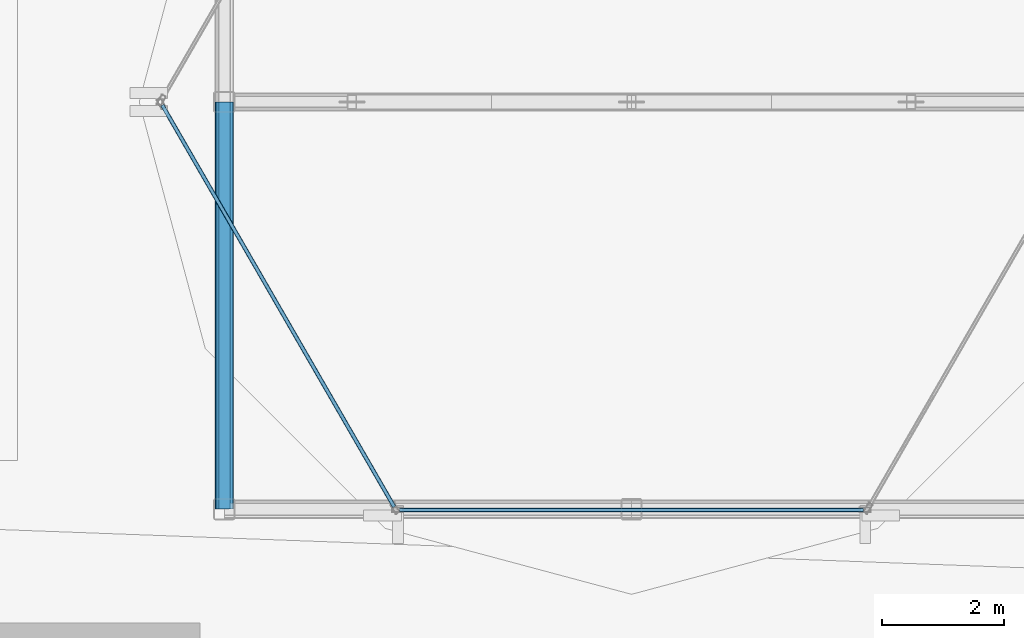
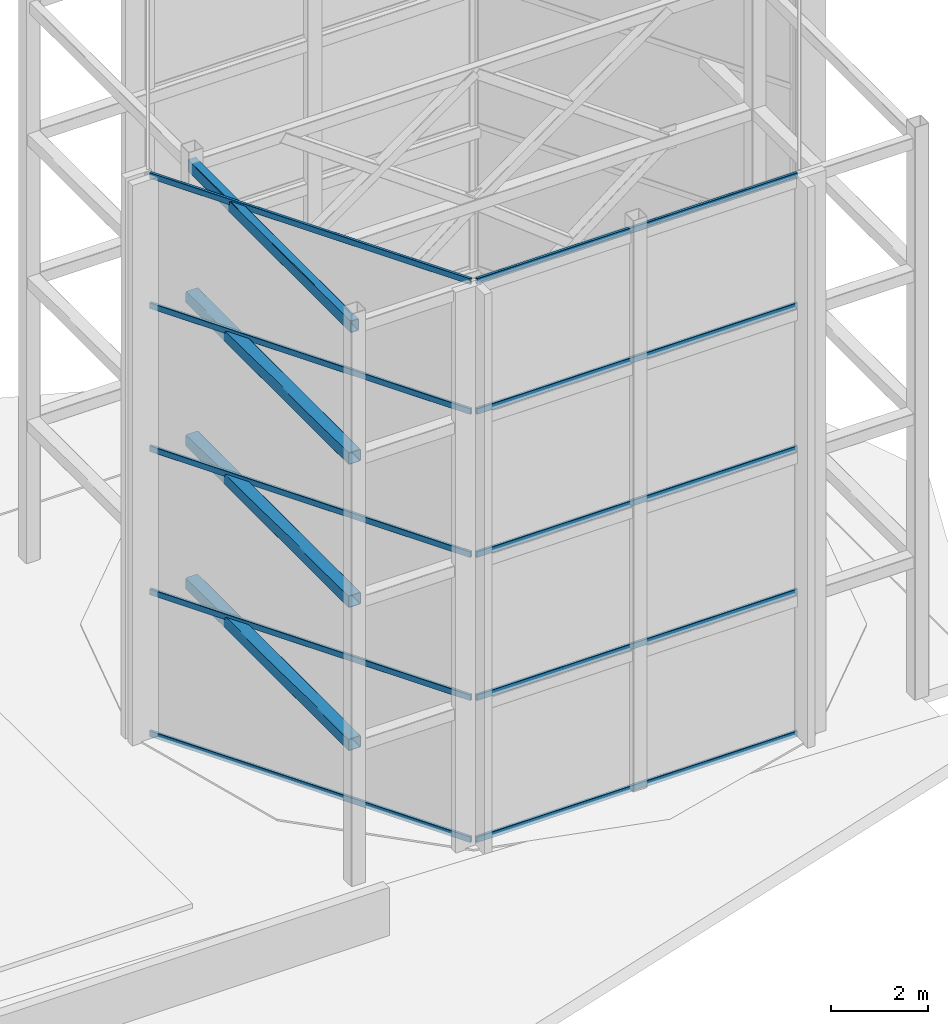
# One storey, part 3 of 24: 10 members, 4 beams, 2 elements without a shape of their own.
"""IFC4 building model written with IfcOpenShell, lengths in metres."""

from ifc_helpers import new_model, si_unit, direction, frame, origin, origin_2d, place, context, subcontext, project, spatial, hollow_rectangle, extrude, material, layer, layer_set, material_profile, profile_set, type_object, element, aggregate, save


model = new_model("IFC4")

# Units and contexts
model_context = context("Model", 3, precision=1e-05, world=origin(), true_north=direction((0.0, 1.0)))
body_context = subcontext(model_context, "Body", "Model", "MODEL_VIEW")
ifc_project = project(units=[si_unit("LENGTHUNIT", "METRE"), si_unit("AREAUNIT", "SQUARE_METRE"), si_unit("VOLUMEUNIT", "CUBIC_METRE"), si_unit("PLANEANGLEUNIT", "RADIAN"), si_unit("MASSUNIT", "GRAM", prefix="KILO")], contexts=[model_context])

# Site, building, storey
site_placement = place(None, origin())
site = spatial("IfcSite", under=ifc_project, at=site_placement, CompositionType="ELEMENT")
building_placement = place(site_placement, origin())
building = spatial("IfcBuilding", under=site, at=building_placement, Name="Solvaryn Broadcast Tower", CompositionType="ELEMENT")
storey_placement = place(building_placement, frame((0.0, 0.0, 307.800048828125)))
storey = spatial("IfcBuildingStorey", under=building, at=storey_placement, Name="Roof Main", CompositionType="ELEMENT", Elevation=307.800048828125)

# Beams
ifc_material_1 = material(Name="Steel ASTM A500 Grade C", Category="steel")
ifc_material_profile_1 = material_profile(ifc_material_1, hollow_rectangle(XDim=0.199951171875, YDim=0.300048828125, WallThickness=0.011962890625, InnerFilletRadius=0.011962890625, OuterFilletRadius=0.02392578125, at=origin_2d()))
ifc_profile_set_1 = profile_set([ifc_material_profile_1], Name="Steel ASTM A500 Grade C")
beam_type_1 = type_object("IfcBeamType", Name="BM-CROWN-CAP", PredefinedType="BEAM", material=ifc_profile_set_1)
beam_placement = place(storey_placement, frame((29.39990234375, 17.89990234375, 13.949951171875), z_axis=(0.0, -1.0, 0.0), x_axis=(1.0, 0.0, 0.0)))
element("IfcBeam", 1, at=beam_placement, inside=storey, type_object=beam_type_1, Name="Roof Main CROWN FRAME Ring Beam ET4-8", PredefinedType="BEAM", context=body_context, shape_type="SweptSolid", body=[
    extrude(hollow_rectangle(XDim=0.199951171875, YDim=0.300048828125, WallThickness=0.011962890625, InnerFilletRadius=0.011962890625, OuterFilletRadius=0.02392578125, at=origin_2d()), origin(), (0.0, 0.0, 1.0), 6.699951171875),
])
ifc_material_2 = material(Name="Steel ASTM A500 Grade C", Category="steel")
ifc_material_profile_2 = material_profile(ifc_material_2, hollow_rectangle(XDim=0.300048828125, YDim=0.300048828125, WallThickness=0.01416015625, InnerFilletRadius=0.01416015625, OuterFilletRadius=0.0283203125, at=origin_2d()))
ifc_profile_set_2 = profile_set([ifc_material_profile_2], Name="Steel ASTM A500 Grade C")
beam_type_2 = type_object("IfcBeamType", Name="BM-CROWN-RING", PredefinedType="BEAM", material=ifc_profile_set_2)
for number, where, z_axis, x_axis, name in (
    (2, (29.39990234375, 17.89990234375, 3.449951171875), (0.0, -1.0, 0.0), (1.0, 0.0, 0.0), "Roof Main CROWN FRAME Ring Beam ET1-8"),
    (3, (29.39990234375, 17.89990234375, 7.050048828125), (0.0, -1.0, 0.0), (1.0, 0.0, 0.0), "Roof Main CROWN FRAME Ring Beam ET2-8"),
    (4, (29.39990234375, 17.89990234375, 10.64990234375), (0.0, -1.0, 0.0), (1.0, 0.0, 0.0), "Roof Main CROWN FRAME Ring Beam ET3-8"),
):
    element("IfcBeam", number, at=place(storey_placement, frame(where, z_axis=z_axis, x_axis=x_axis)), inside=storey, type_object=beam_type_2, Name=name, PredefinedType="BEAM", context=body_context, shape_type="SweptSolid", body=[
        extrude(hollow_rectangle(XDim=0.300048828125, YDim=0.300048828125, WallThickness=0.01416015625, InnerFilletRadius=0.01416015625, OuterFilletRadius=0.0283203125, at=origin_2d()), origin(), (0.0, 0.0, 1.0), 6.699951171875),
    ])

# Curtain wall, members
ifc_material_3 = material(Name="Aluminium and Terracotta Unitised Curtain Wall", Category="masonry")
ifc_layer = layer(ifc_material_3, 0.2099609375)
ifc_layer_set = layer_set([ifc_layer], Name="CW-SYS6-CROWN")
curtain_wall_type = type_object("IfcCurtainWallType", Name="CW-SYS6-CROWN", PredefinedType="NOTDEFINED", material=ifc_layer_set)
curtain_wall_1_placement = place(storey_placement, origin())
curtain_wall_1 = element("IfcCurtainWall", 5, at=curtain_wall_1_placement, inside=storey, type_object=curtain_wall_type, Name="Roof Main Split-Top Crown Curtain Wall E4", PredefinedType="NOTDEFINED")
ifc_material_4 = material(Name="Anodised Aluminium 6063-T6", Category="aluminium")
ifc_material_profile_3 = material_profile(ifc_material_4, hollow_rectangle(XDim=0.06494140625, YDim=0.14990234375, WallThickness=0.00390625, InnerFilletRadius=0.00390625, OuterFilletRadius=0.008056640625, at=origin_2d()))
ifc_profile_set_3 = profile_set([ifc_material_profile_3], Name="Anodised Aluminium 6063-T6")
member_type = type_object("IfcMemberType", Name="CW-TRN-150", PredefinedType="USERDEFINED", material=ifc_profile_set_3)
member_1_placement = place(storey_placement, frame((28.3798828125, 17.84814453125, 0.030029296875), z_axis=(0.49999664678, -0.866027339758, 0.0), x_axis=(0.866027339758, 0.49999664678, 0.0)))
member_1 = element("IfcMember", 6, at=member_1_placement, type_object=member_type, Name="CWS6 transom 1.1", ObjectType="TRANSOM", PredefinedType="USERDEFINED", context=body_context, shape_type="SweptSolid", body=[
    extrude(hollow_rectangle(XDim=0.06494140625, YDim=0.14990234375, WallThickness=0.00390625, InnerFilletRadius=0.00390625, OuterFilletRadius=0.008056640625, at=origin_2d()), origin(), (0.0, 0.0, 1.0), 7.63037109375),
])
member_2_placement = place(storey_placement, frame((28.3798828125, 17.84814453125, 3.599853515625), z_axis=(0.49999664678, -0.866027339758, 0.0), x_axis=(0.866027339758, 0.49999664678, 0.0)))
member_2 = element("IfcMember", 7, at=member_2_placement, type_object=member_type, Name="CWS6 transom 1.2", ObjectType="TRANSOM", PredefinedType="USERDEFINED", context=body_context, shape_type="SweptSolid", body=[
    extrude(hollow_rectangle(XDim=0.06494140625, YDim=0.14990234375, WallThickness=0.00390625, InnerFilletRadius=0.00390625, OuterFilletRadius=0.008056640625, at=origin_2d()), origin(), (0.0, 0.0, 1.0), 7.63037109375),
])
member_3_placement = place(storey_placement, frame((28.3798828125, 17.84814453125, 7.199951171875), z_axis=(0.49999664678, -0.866027339758, 0.0), x_axis=(0.866027339758, 0.49999664678, 0.0)))
member_3 = element("IfcMember", 8, at=member_3_placement, type_object=member_type, Name="CWS6 transom 1.3", ObjectType="TRANSOM", PredefinedType="USERDEFINED", context=body_context, shape_type="SweptSolid", body=[
    extrude(hollow_rectangle(XDim=0.06494140625, YDim=0.14990234375, WallThickness=0.00390625, InnerFilletRadius=0.00390625, OuterFilletRadius=0.008056640625, at=origin_2d()), origin(), (0.0, 0.0, 1.0), 7.63037109375),
])
member_4_placement = place(storey_placement, frame((28.3798828125, 17.84814453125, 10.800048828125), z_axis=(0.49999664678, -0.866027339758, 0.0), x_axis=(0.866027339758, 0.49999664678, 0.0)))
member_4 = element("IfcMember", 9, at=member_4_placement, type_object=member_type, Name="CWS6 transom 1.4", ObjectType="TRANSOM", PredefinedType="USERDEFINED", context=body_context, shape_type="SweptSolid", body=[
    extrude(hollow_rectangle(XDim=0.06494140625, YDim=0.14990234375, WallThickness=0.00390625, InnerFilletRadius=0.00390625, OuterFilletRadius=0.008056640625, at=origin_2d()), origin(), (0.0, 0.0, 1.0), 7.63037109375),
])
member_5_placement = place(storey_placement, frame((28.3798828125, 17.84814453125, 14.070068359375), z_axis=(0.49999664678, -0.866027339758, 0.0), x_axis=(0.866027339758, 0.49999664678, 0.0)))
member_5 = element("IfcMember", 10, at=member_5_placement, type_object=member_type, Name="CWS6 transom 1.5", ObjectType="TRANSOM", PredefinedType="USERDEFINED", context=body_context, shape_type="SweptSolid", body=[
    extrude(hollow_rectangle(XDim=0.06494140625, YDim=0.14990234375, WallThickness=0.00390625, InnerFilletRadius=0.00390625, OuterFilletRadius=0.008056640625, at=origin_2d()), origin(), (0.0, 0.0, 1.0), 7.63037109375),
])
aggregate(curtain_wall_1, [member_1, member_2, member_3, member_4, member_5])

curtain_wall_2_placement = place(storey_placement, origin())
curtain_wall_2 = element("IfcCurtainWall", 11, at=curtain_wall_2_placement, inside=storey, type_object=curtain_wall_type, Name="Roof Main Split-Top Crown Curtain Wall E5", PredefinedType="NOTDEFINED")
member_6_placement = place(storey_placement, frame((32.284912109375, 11.18798828125, 0.030029296875), z_axis=(1.0, 0.0, 0.0), x_axis=(0.0, 1.0, 0.0)))
member_6 = element("IfcMember", 12, at=member_6_placement, type_object=member_type, Name="CWS6 transom 1.1", ObjectType="TRANSOM", PredefinedType="USERDEFINED", context=body_context, shape_type="SweptSolid", body=[
    extrude(hollow_rectangle(XDim=0.06494140625, YDim=0.14990234375, WallThickness=0.00390625, InnerFilletRadius=0.00390625, OuterFilletRadius=0.008056640625, at=origin_2d()), origin(), (0.0, 0.0, 1.0), 7.630126953125),
])
member_7_placement = place(storey_placement, frame((32.284912109375, 11.18798828125, 3.599853515625), z_axis=(1.0, 0.0, 0.0), x_axis=(0.0, 1.0, 0.0)))
member_7 = element("IfcMember", 13, at=member_7_placement, type_object=member_type, Name="CWS6 transom 1.2", ObjectType="TRANSOM", PredefinedType="USERDEFINED", context=body_context, shape_type="SweptSolid", body=[
    extrude(hollow_rectangle(XDim=0.06494140625, YDim=0.14990234375, WallThickness=0.00390625, InnerFilletRadius=0.00390625, OuterFilletRadius=0.008056640625, at=origin_2d()), origin(), (0.0, 0.0, 1.0), 7.630126953125),
])
member_8_placement = place(storey_placement, frame((32.284912109375, 11.18798828125, 7.199951171875), z_axis=(1.0, 0.0, 0.0), x_axis=(0.0, 1.0, 0.0)))
member_8 = element("IfcMember", 14, at=member_8_placement, type_object=member_type, Name="CWS6 transom 1.3", ObjectType="TRANSOM", PredefinedType="USERDEFINED", context=body_context, shape_type="SweptSolid", body=[
    extrude(hollow_rectangle(XDim=0.06494140625, YDim=0.14990234375, WallThickness=0.00390625, InnerFilletRadius=0.00390625, OuterFilletRadius=0.008056640625, at=origin_2d()), origin(), (0.0, 0.0, 1.0), 7.630126953125),
])
member_9_placement = place(storey_placement, frame((32.284912109375, 11.18798828125, 10.800048828125), z_axis=(1.0, 0.0, 0.0), x_axis=(0.0, 1.0, 0.0)))
member_9 = element("IfcMember", 15, at=member_9_placement, type_object=member_type, Name="CWS6 transom 1.4", ObjectType="TRANSOM", PredefinedType="USERDEFINED", context=body_context, shape_type="SweptSolid", body=[
    extrude(hollow_rectangle(XDim=0.06494140625, YDim=0.14990234375, WallThickness=0.00390625, InnerFilletRadius=0.00390625, OuterFilletRadius=0.008056640625, at=origin_2d()), origin(), (0.0, 0.0, 1.0), 7.630126953125),
])
member_10_placement = place(storey_placement, frame((32.284912109375, 11.18798828125, 14.070068359375), z_axis=(1.0, 0.0, 0.0), x_axis=(0.0, 1.0, 0.0)))
member_10 = element("IfcMember", 16, at=member_10_placement, type_object=member_type, Name="CWS6 transom 1.5", ObjectType="TRANSOM", PredefinedType="USERDEFINED", context=body_context, shape_type="SweptSolid", body=[
    extrude(hollow_rectangle(XDim=0.06494140625, YDim=0.14990234375, WallThickness=0.00390625, InnerFilletRadius=0.00390625, OuterFilletRadius=0.008056640625, at=origin_2d()), origin(), (0.0, 0.0, 1.0), 7.630126953125),
])
aggregate(curtain_wall_2, [member_6, member_7, member_8, member_9, member_10])

save(model, "model.ifc")
